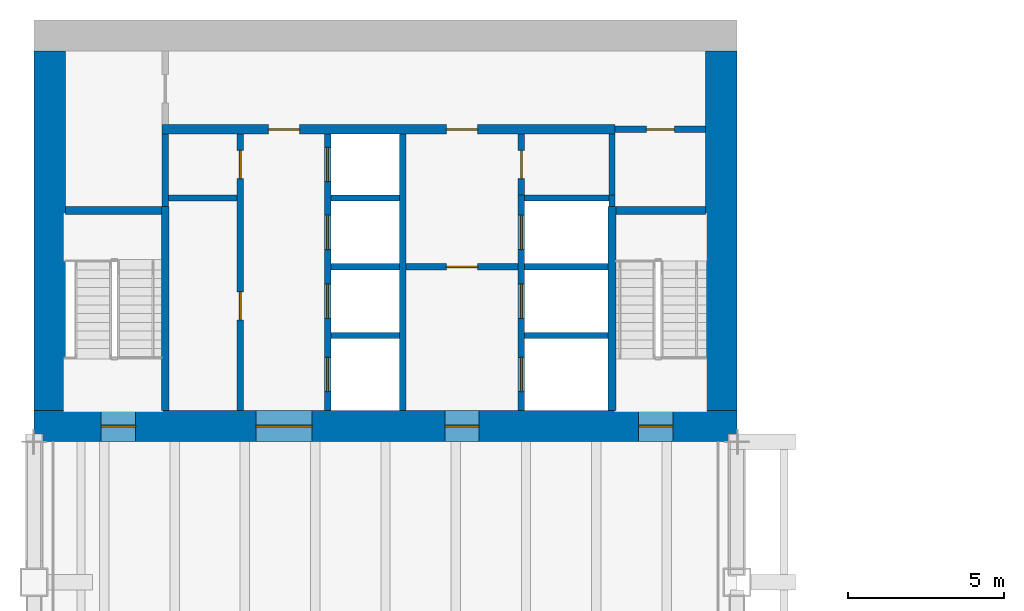
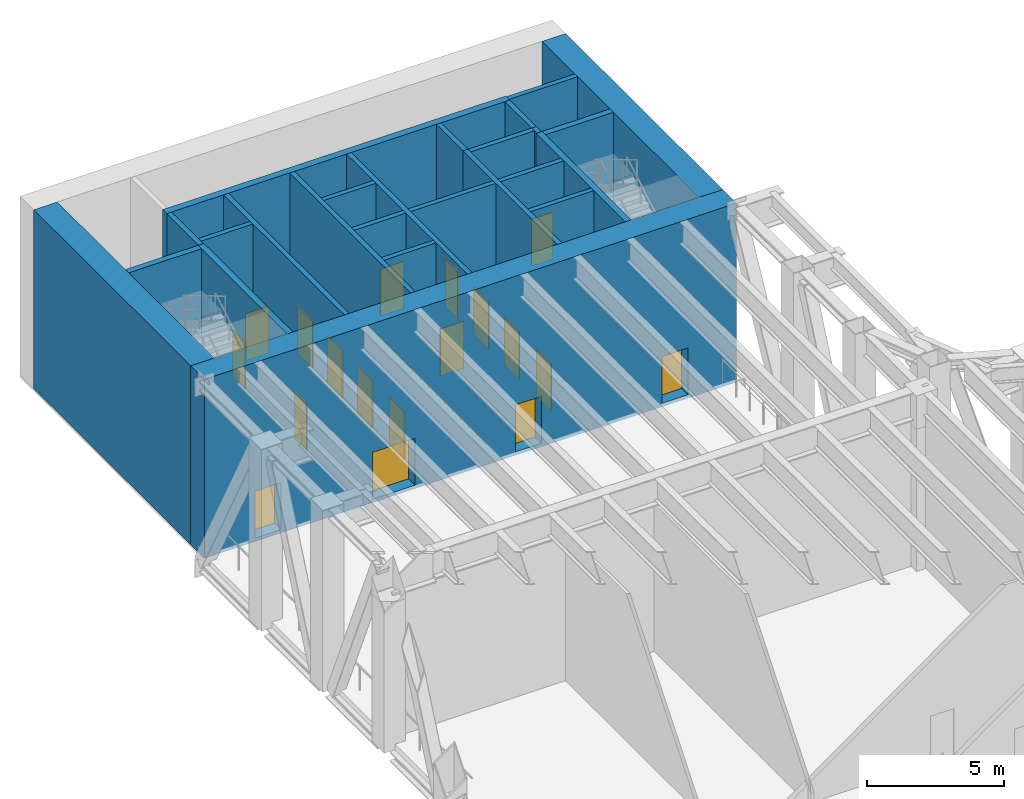
# One storey, part 9 of 16: 25 walls, 18 doors, 18 openings.
"""IFC4 building model written with IfcOpenShell, lengths in metres."""

from ifc_helpers import new_model, si_unit, direction, frame, frame_2d, origin, place, context, subcontext, project, spatial, rectangle, extrude, material, layer, layer_set, type_object, element, fill, save


model = new_model("IFC4")

# Units and contexts
model_context = context("Model", 3, precision=1e-05, world=origin(), true_north=direction((0.0, 1.0)))
body_context = subcontext(model_context, "Body", "Model", "MODEL_VIEW")
ifc_project = project(units=[si_unit("LENGTHUNIT", "METRE"), si_unit("AREAUNIT", "SQUARE_METRE"), si_unit("VOLUMEUNIT", "CUBIC_METRE"), si_unit("PLANEANGLEUNIT", "RADIAN"), si_unit("MASSUNIT", "GRAM", prefix="KILO")], contexts=[model_context])

# Site, building, storey
site_placement = place(None, origin())
site = spatial("IfcSite", under=ifc_project, at=site_placement, CompositionType="ELEMENT")
building_placement = place(site_placement, origin())
building = spatial("IfcBuilding", under=site, at=building_placement, Name="Sennacour Bend Tower", CompositionType="ELEMENT")
storey_placement = place(building_placement, frame((0.0, 0.0, 187.0)))
storey = spatial("IfcBuildingStorey", under=building, at=storey_placement, Name="L43", CompositionType="ELEMENT", Elevation=187.0)

# Wall, openings, doors
ifc_material_1 = material(Name="Concrete C60/75", Category="concrete")
ifc_layer_1 = layer(ifc_material_1, 1.0, Name="Concrete C60/75", Category="concrete")
ifc_layer_set_1 = layer_set([ifc_layer_1], Name="Concrete C60/75")
wall_type_1 = type_object("IfcWallType", Name="Core wall 1000 C60/75", PredefinedType="SHEAR", material=ifc_layer_set_1)
wall_1_placement = place(storey_placement, frame((0.0, 36.5, -0.14990234375), z_axis=(0.0, 0.0, 1.0), x_axis=(1.0, 0.0, 0.0)))
wall_1 = element("IfcWall", 1, at=wall_1_placement, inside=storey, type_object=wall_type_1, Name="Core B wall L43 S", PredefinedType="SHEAR", context=body_context, shape_type="SweptSolid", body=[
    extrude(rectangle(XDim=22.5, YDim=1.0, at=frame_2d((11.25, 0.0))), origin(), (0.0, 0.0, 1.0), 8.0),
])
opening_1_placement = place(wall_1_placement, frame((7.10009765625, 0.0, 0.14990234375)))
opening_1 = element("IfcOpeningElement", 2, at=opening_1_placement, cuts=wall_1, Name="Opening CD", PredefinedType="OPENING", context=body_context, shape_type="SweptSolid", body=[
    extrude(rectangle(XDim=1.800048828125, YDim=2.10009765625, at=frame_2d((0.89990234375, 1.050048828125))), frame((0.0, 0.510009765625, 0.0), z_axis=(0.0, -1.0, 0.0), x_axis=(1.0, 0.0, 0.0)), (0.0, 0.0, 1.0), 1.02001953125),
])
opening_2_placement = place(wall_1_placement, frame((13.14990234375, 0.0, 0.14990234375)))
opening_2 = element("IfcOpeningElement", 3, at=opening_2_placement, cuts=wall_1, Name="Opening FD", PredefinedType="OPENING", context=body_context, shape_type="SweptSolid", body=[
    extrude(rectangle(XDim=1.10009765625, YDim=2.10009765625, at=frame_2d((0.550048828125, 1.050048828125))), frame((0.0, 0.510009765625, 0.0), z_axis=(0.0, -1.0, 0.0), x_axis=(1.0, 0.0, 0.0)), (0.0, 0.0, 1.0), 1.02001953125),
])
opening_3_placement = place(wall_1_placement, frame((2.14990234375, 0.0, 0.14990234375)))
opening_3 = element("IfcOpeningElement", 4, at=opening_3_placement, cuts=wall_1, Name="Opening SD", PredefinedType="OPENING", context=body_context, shape_type="SweptSolid", body=[
    extrude(rectangle(XDim=1.10009765625, YDim=2.10009765625, at=frame_2d((0.550048828125, 1.050048828125))), frame((0.0, 0.510009765625, 0.0), z_axis=(0.0, -1.0, 0.0), x_axis=(1.0, 0.0, 0.0)), (0.0, 0.0, 1.0), 1.02001953125),
])
opening_4_placement = place(wall_1_placement, frame((19.35009765625, 0.0, 0.14990234375)))
opening_4 = element("IfcOpeningElement", 5, at=opening_4_placement, cuts=wall_1, Name="Opening SD", PredefinedType="OPENING", context=body_context, shape_type="SweptSolid", body=[
    extrude(rectangle(XDim=1.10009765625, YDim=2.10009765625, at=frame_2d((0.550048828125, 1.050048828125))), frame((0.0, 0.510009765625, 0.0), z_axis=(0.0, -1.0, 0.0), x_axis=(1.0, 0.0, 0.0)), (0.0, 0.0, 1.0), 1.02001953125),
])
ifc_material_2 = material(Name="Painted steel", Category="steel")
door_type_1 = type_object("IfcDoorType", Name="DR-FFL-1100", OperationType="NOTDEFINED", PredefinedType="DOOR", material=ifc_material_2)
door_1_placement = place(opening_2_placement, origin())
door_1 = element("IfcDoor", 6, at=door_1_placement, inside=storey, type_object=door_type_1, Name="Door", OperationType="SINGLE_SWING_RIGHT", OverallHeight=2.10009765625, OverallWidth=1.10009765625, PredefinedType="DOOR", context=body_context, shape_type="SweptSolid", body=[
    extrude(rectangle(XDim=1.10009765625, YDim=2.10009765625, at=frame_2d((0.550048828125, 1.050048828125))), frame((0.0, 0.02490234375, 0.0), z_axis=(0.0, -1.0, 0.0), x_axis=(1.0, 0.0, 0.0)), (0.0, 0.0, 1.0), 0.050048828125),
])
fill(opening_2, door_1)
door_type_2 = type_object("IfcDoorType", Name="DR-LOBBY-1800", OperationType="NOTDEFINED", PredefinedType="DOOR", material=ifc_material_2)
door_2_placement = place(opening_1_placement, origin())
door_2 = element("IfcDoor", 7, at=door_2_placement, inside=storey, type_object=door_type_2, Name="Door", OperationType="DOUBLE_DOOR_SINGLE_SWING", OverallHeight=2.10009765625, OverallWidth=1.800048828125, PredefinedType="DOOR", context=body_context, shape_type="SweptSolid", body=[
    extrude(rectangle(XDim=1.800048828125, YDim=2.10009765625, at=frame_2d((0.89990234375, 1.050048828125))), frame((0.0, 0.02490234375, 0.0), z_axis=(0.0, -1.0, 0.0), x_axis=(1.0, 0.0, 0.0)), (0.0, 0.0, 1.0), 0.050048828125),
])
fill(opening_1, door_2)
door_type_3 = type_object("IfcDoorType", Name="DR-STAIR-1100", OperationType="NOTDEFINED", PredefinedType="DOOR", material=ifc_material_2)
door_3_placement = place(opening_3_placement, origin())
door_3 = element("IfcDoor", 8, at=door_3_placement, inside=storey, type_object=door_type_3, Name="Door", OperationType="SINGLE_SWING_LEFT", OverallHeight=2.10009765625, OverallWidth=1.10009765625, PredefinedType="DOOR", context=body_context, shape_type="SweptSolid", body=[
    extrude(rectangle(XDim=1.10009765625, YDim=2.10009765625, at=frame_2d((0.550048828125, 1.050048828125))), frame((0.0, 0.02490234375, 0.0), z_axis=(0.0, -1.0, 0.0), x_axis=(1.0, 0.0, 0.0)), (0.0, 0.0, 1.0), 0.050048828125),
])
fill(opening_3, door_3)
door_4_placement = place(opening_4_placement, origin())
door_4 = element("IfcDoor", 9, at=door_4_placement, inside=storey, type_object=door_type_3, Name="Door", OperationType="SINGLE_SWING_RIGHT", OverallHeight=2.10009765625, OverallWidth=1.10009765625, PredefinedType="DOOR", context=body_context, shape_type="SweptSolid", body=[
    extrude(rectangle(XDim=1.10009765625, YDim=2.10009765625, at=frame_2d((0.550048828125, 1.050048828125))), frame((0.0, 0.02490234375, 0.0), z_axis=(0.0, -1.0, 0.0), x_axis=(1.0, 0.0, 0.0)), (0.0, 0.0, 1.0), 0.050048828125),
])
fill(opening_4, door_4)

# Walls
for number, where, z_axis, x_axis, name in (
    (10, (0.5, 37.0, -0.14990234375), (0.0, 0.0, 1.0), (0.0, 1.0, 0.0), "Core B wall L43 W"),
    (11, (22.0, 37.0, -0.14990234375), (0.0, 0.0, 1.0), (0.0, 1.0, 0.0), "Core B wall L43 E"),
):
    element("IfcWall", number, at=place(storey_placement, frame(where, z_axis=z_axis, x_axis=x_axis)), inside=storey, type_object=wall_type_1, Name=name, PredefinedType="SHEAR", context=body_context, shape_type="SweptSolid", body=[
        extrude(rectangle(XDim=11.5, YDim=1.0, at=frame_2d((5.75, 0.0))), origin(), (0.0, 0.0, 1.0), 8.0),
    ])
ifc_material_3 = material(Name="Fire-rated plasterboard partition on steel studs", Category="steel")
ifc_layer_2 = layer(ifc_material_3, 0.199951171875, Name="Fire-rated plasterboard partition on steel studs", Category="steel")
ifc_layer_set_2 = layer_set([ifc_layer_2], Name="Fire-rated plasterboard partition on steel studs")
wall_type_2 = type_object("IfcWallType", Name="Rated partition 200", PredefinedType="PARTITIONING", material=ifc_layer_set_2)
wall_2_placement = place(storey_placement, frame((4.199951171875, 43.52490234375, 0.0), z_axis=(0.0, 0.0, 1.0), x_axis=(0.0, 1.0, 0.0)))
element("IfcWall", 12, at=wall_2_placement, inside=storey, type_object=wall_type_2, Name="P-L43-W004a", PredefinedType="PARTITIONING", context=body_context, shape_type="SweptSolid", body=[
    extrude(rectangle(XDim=2.3251953125, YDim=0.199951171875, at=frame_2d((1.16259765625, 0.0))), origin(), (0.0, 0.0, 1.0), 7.85009765625),
])

# Wall, openings, doors
wall_3_placement = place(storey_placement, frame((6.60009765625, 37.0, 0.0), z_axis=(0.0, 0.0, 1.0), x_axis=(0.0, 1.0, 0.0)))
wall_3 = element("IfcWall", 13, at=wall_3_placement, inside=storey, type_object=wall_type_2, Name="P-L43-W005", PredefinedType="PARTITIONING", context=body_context, shape_type="SweptSolid", body=[
    extrude(rectangle(XDim=8.85009765625, YDim=0.199951171875, at=frame_2d((4.425048828125, 0.0))), origin(), (0.0, 0.0, 1.0), 7.85009765625),
])
opening_5_placement = place(wall_3_placement, frame((2.89990234375, 0.0, 0.0)))
opening_5 = element("IfcOpeningElement", 14, at=opening_5_placement, cuts=wall_3, Name="Opening SV", PredefinedType="OPENING", context=body_context, shape_type="SweptSolid", body=[
    extrude(rectangle(XDim=0.89990234375, YDim=2.10009765625, at=frame_2d((0.449951171875, 1.050048828125))), frame((0.0, 0.10986328125, 0.0), z_axis=(0.0, -1.0, 0.0), x_axis=(1.0, 0.0, 0.0)), (0.0, 0.0, 1.0), 0.219970703125),
])
opening_6_placement = place(wall_3_placement, frame((7.425048828125, 0.0, 0.0)))
opening_6 = element("IfcOpeningElement", 15, at=opening_6_placement, cuts=wall_3, Name="Opening SV", PredefinedType="OPENING", context=body_context, shape_type="SweptSolid", body=[
    extrude(rectangle(XDim=0.89990234375, YDim=2.10009765625, at=frame_2d((0.449951171875, 1.050048828125))), frame((0.0, 0.10986328125, 0.0), z_axis=(0.0, -1.0, 0.0), x_axis=(1.0, 0.0, 0.0)), (0.0, 0.0, 1.0), 0.219970703125),
])
door_type_4 = type_object("IfcDoorType", Name="DR-SERVICE-900", OperationType="NOTDEFINED", PredefinedType="DOOR", material=ifc_material_2)
door_5_placement = place(opening_5_placement, origin())
door_5 = element("IfcDoor", 16, at=door_5_placement, inside=storey, type_object=door_type_4, Name="Door", OperationType="SINGLE_SWING_LEFT", OverallHeight=2.10009765625, OverallWidth=0.89990234375, PredefinedType="DOOR", context=body_context, shape_type="SweptSolid", body=[
    extrude(rectangle(XDim=0.89990234375, YDim=2.10009765625, at=frame_2d((0.449951171875, 1.050048828125))), frame((0.0, 0.02490234375, 0.0), z_axis=(0.0, -1.0, 0.0), x_axis=(1.0, 0.0, 0.0)), (0.0, 0.0, 1.0), 0.050048828125),
])
fill(opening_5, door_5)
door_6_placement = place(opening_6_placement, origin())
door_6 = element("IfcDoor", 17, at=door_6_placement, inside=storey, type_object=door_type_4, Name="Door", OperationType="SINGLE_SWING_RIGHT", OverallHeight=2.10009765625, OverallWidth=0.89990234375, PredefinedType="DOOR", context=body_context, shape_type="SweptSolid", body=[
    extrude(rectangle(XDim=0.89990234375, YDim=2.10009765625, at=frame_2d((0.449951171875, 1.050048828125))), frame((0.0, 0.02490234375, 0.0), z_axis=(0.0, -1.0, 0.0), x_axis=(1.0, 0.0, 0.0)), (0.0, 0.0, 1.0), 0.050048828125),
])
fill(opening_6, door_6)

# Wall, opening, door
wall_4_placement = place(storey_placement, frame((15.60009765625, 43.89990234375, 0.0), z_axis=(0.0, 0.0, 1.0), x_axis=(0.0, 1.0, 0.0)))
wall_4 = element("IfcWall", 18, at=wall_4_placement, inside=storey, type_object=wall_type_2, Name="P-L43-W014", PredefinedType="PARTITIONING", context=body_context, shape_type="SweptSolid", body=[
    extrude(rectangle(XDim=1.9501953125, YDim=0.199951171875, at=frame_2d((0.97509765625, 0.0))), origin(), (0.0, 0.0, 1.0), 7.85009765625),
])
opening_7_placement = place(wall_4_placement, frame((0.525146484375, 0.0, 0.0)))
opening_7 = element("IfcOpeningElement", 19, at=opening_7_placement, cuts=wall_4, Name="Opening SV", PredefinedType="OPENING", context=body_context, shape_type="SweptSolid", body=[
    extrude(rectangle(XDim=0.89990234375, YDim=2.10009765625, at=frame_2d((0.449951171875, 1.050048828125))), frame((0.0, 0.10986328125, 0.0), z_axis=(0.0, -1.0, 0.0), x_axis=(1.0, 0.0, 0.0)), (0.0, 0.0, 1.0), 0.219970703125),
])
door_7_placement = place(opening_7_placement, origin())
door_7 = element("IfcDoor", 20, at=door_7_placement, inside=storey, type_object=door_type_4, Name="Door", OperationType="SINGLE_SWING_RIGHT", OverallHeight=2.10009765625, OverallWidth=0.89990234375, PredefinedType="DOOR", context=body_context, shape_type="SweptSolid", body=[
    extrude(rectangle(XDim=0.89990234375, YDim=2.10009765625, at=frame_2d((0.449951171875, 1.050048828125))), frame((0.0, 0.02490234375, 0.0), z_axis=(0.0, -1.0, 0.0), x_axis=(1.0, 0.0, 0.0)), (0.0, 0.0, 1.0), 0.050048828125),
])
fill(opening_7, door_7)

# Walls
wall_5_placement = place(storey_placement, frame((18.5, 43.89990234375, 0.0), z_axis=(0.0, 0.0, 1.0), x_axis=(0.0, 1.0, 0.0)))
element("IfcWall", 21, at=wall_5_placement, inside=storey, type_object=wall_type_2, Name="P-L43-W018", PredefinedType="PARTITIONING", context=body_context, shape_type="SweptSolid", body=[
    extrude(rectangle(XDim=1.9501953125, YDim=0.199951171875, at=frame_2d((0.97509765625, 0.0))), origin(), (0.0, 0.0, 1.0), 7.85009765625),
])
wall_6_placement = place(storey_placement, frame((4.300048828125, 43.800048828125, 0.0), z_axis=(0.0, 0.0, 1.0), x_axis=(1.0, 0.0, 0.0)))
element("IfcWall", 22, at=wall_6_placement, inside=storey, type_object=wall_type_2, Name="P-L43-W056", PredefinedType="PARTITIONING", context=body_context, shape_type="SweptSolid", body=[
    extrude(rectangle(XDim=2.199951171875, YDim=0.199951171875, at=frame_2d((1.10009765625, 0.0))), origin(), (0.0, 0.0, 1.0), 7.85009765625),
])

# Wall, opening, door
wall_7_placement = place(storey_placement, frame((18.60009765625, 46.0, 0.0), z_axis=(0.0, 0.0, 1.0), x_axis=(1.0, 0.0, 0.0)))
wall_7 = element("IfcWall", 23, at=wall_7_placement, inside=storey, type_object=wall_type_2, Name="P-L43-W060", PredefinedType="PARTITIONING", context=body_context, shape_type="SweptSolid", body=[
    extrude(rectangle(XDim=2.89990234375, YDim=0.199951171875, at=frame_2d((1.449951171875, 0.0))), origin(), (0.0, 0.0, 1.0), 7.85009765625),
])
opening_8_placement = place(wall_7_placement, frame((1.0, 0.0, 0.0)))
opening_8 = element("IfcOpeningElement", 24, at=opening_8_placement, cuts=wall_7, Name="Opening SV", PredefinedType="OPENING", context=body_context, shape_type="SweptSolid", body=[
    extrude(rectangle(XDim=0.89990234375, YDim=2.10009765625, at=frame_2d((0.449951171875, 1.050048828125))), frame((0.0, 0.10986328125, 0.0), z_axis=(0.0, -1.0, 0.0), x_axis=(1.0, 0.0, 0.0)), (0.0, 0.0, 1.0), 0.219970703125),
])
door_8_placement = place(opening_8_placement, origin())
door_8 = element("IfcDoor", 25, at=door_8_placement, inside=storey, type_object=door_type_4, Name="Door", OperationType="SINGLE_SWING_LEFT", OverallHeight=2.10009765625, OverallWidth=0.89990234375, PredefinedType="DOOR", context=body_context, shape_type="SweptSolid", body=[
    extrude(rectangle(XDim=0.89990234375, YDim=2.10009765625, at=frame_2d((0.449951171875, 1.050048828125))), frame((0.0, 0.02490234375, 0.0), z_axis=(0.0, -1.0, 0.0), x_axis=(1.0, 0.0, 0.0)), (0.0, 0.0, 1.0), 0.050048828125),
])
fill(opening_8, door_8)

ifc_layer_3 = layer(ifc_material_3, 0.199951171875, Name="Fire-rated plasterboard partition on steel studs", Category="steel")
ifc_layer_set_3 = layer_set([ifc_layer_3], Name="Fire-rated plasterboard partition on steel studs")
wall_type_3 = type_object("IfcWallType", Name="Rated partition 200 EI 90", PredefinedType="PARTITIONING", material=ifc_layer_set_3)
wall_8_placement = place(storey_placement, frame((11.89990234375, 41.60009765625, 0.0), z_axis=(0.0, 0.0, 1.0), x_axis=(1.0, 0.0, 0.0)))
wall_8 = element("IfcWall", 26, at=wall_8_placement, inside=storey, type_object=wall_type_3, Name="P-L43-W052", PredefinedType="PARTITIONING", context=body_context, shape_type="SweptSolid", body=[
    extrude(rectangle(XDim=3.60009765625, YDim=0.199951171875, at=frame_2d((1.800048828125, 0.0))), origin(), (0.0, 0.0, 1.0), 7.85009765625),
])
opening_9_placement = place(wall_8_placement, frame((1.300048828125, 0.0, 0.0)))
opening_9 = element("IfcOpeningElement", 27, at=opening_9_placement, cuts=wall_8, Name="Opening FD2", PredefinedType="OPENING", context=body_context, shape_type="SweptSolid", body=[
    extrude(rectangle(XDim=1.0, YDim=2.10009765625, at=frame_2d((0.5, 1.050048828125))), frame((0.0, 0.10986328125, 0.0), z_axis=(0.0, -1.0, 0.0), x_axis=(1.0, 0.0, 0.0)), (0.0, 0.0, 1.0), 0.219970703125),
])
door_type_5 = type_object("IfcDoorType", Name="DR-FFL-1000", OperationType="NOTDEFINED", PredefinedType="DOOR", material=ifc_material_2)
door_9_placement = place(opening_9_placement, origin())
door_9 = element("IfcDoor", 28, at=door_9_placement, inside=storey, type_object=door_type_5, Name="Door", OperationType="SINGLE_SWING_RIGHT", OverallHeight=2.10009765625, OverallWidth=1.0, PredefinedType="DOOR", context=body_context, shape_type="SweptSolid", body=[
    extrude(rectangle(XDim=1.0, YDim=2.10009765625, at=frame_2d((0.5, 1.050048828125))), frame((0.0, 0.02490234375, 0.0), z_axis=(0.0, -1.0, 0.0), x_axis=(1.0, 0.0, 0.0)), (0.0, 0.0, 1.0), 0.050048828125),
])
fill(opening_9, door_9)

# Wall, openings, doors
ifc_material_4 = material(Name="Concrete C50/60", Category="concrete")
ifc_layer_4 = layer(ifc_material_4, 0.199951171875, Name="Concrete C50/60", Category="concrete")
ifc_layer_set_4 = layer_set([ifc_layer_4], Name="Concrete C50/60")
wall_type_4 = type_object("IfcWallType", Name="Shaft wall 200", PredefinedType="SOLIDWALL", material=ifc_layer_set_4)
wall_9_placement = place(storey_placement, frame((9.39990234375, 37.0, 0.0), z_axis=(0.0, 0.0, 1.0), x_axis=(0.0, 1.0, 0.0)))
wall_9 = element("IfcWall", 29, at=wall_9_placement, inside=storey, type_object=wall_type_4, Name="P-L43-W010", PredefinedType="SOLIDWALL", context=body_context, shape_type="SweptSolid", body=[
    extrude(rectangle(XDim=8.85009765625, YDim=0.199951171875, at=frame_2d((4.425048828125, 0.0))), origin(), (0.0, 0.0, 1.0), 7.85009765625),
])
opening_10_placement = place(wall_9_placement, frame((0.60009765625, 0.0, 0.011962890625)))
opening_10 = element("IfcOpeningElement", 30, at=opening_10_placement, cuts=wall_9, Name="Opening LD", PredefinedType="OPENING", context=body_context, shape_type="SweptSolid", body=[
    extrude(rectangle(XDim=1.10009765625, YDim=2.10009765625, at=frame_2d((0.550048828125, 1.050048828125))), frame((0.0, 0.10986328125, 0.0), z_axis=(0.0, -1.0, 0.0), x_axis=(1.0, 0.0, 0.0)), (0.0, 0.0, 1.0), 0.219970703125),
])
opening_11_placement = place(wall_9_placement, frame((2.949951171875, 0.0, 0.011962890625)))
opening_11 = element("IfcOpeningElement", 31, at=opening_11_placement, cuts=wall_9, Name="Opening LD", PredefinedType="OPENING", context=body_context, shape_type="SweptSolid", body=[
    extrude(rectangle(XDim=1.10009765625, YDim=2.10009765625, at=frame_2d((0.550048828125, 1.050048828125))), frame((0.0, 0.10986328125, 0.0), z_axis=(0.0, -1.0, 0.0), x_axis=(1.0, 0.0, 0.0)), (0.0, 0.0, 1.0), 0.219970703125),
])
opening_12_placement = place(wall_9_placement, frame((5.14990234375, 0.0, 0.011962890625)))
opening_12 = element("IfcOpeningElement", 32, at=opening_12_placement, cuts=wall_9, Name="Opening LD", PredefinedType="OPENING", context=body_context, shape_type="SweptSolid", body=[
    extrude(rectangle(XDim=1.10009765625, YDim=2.10009765625, at=frame_2d((0.550048828125, 1.050048828125))), frame((0.0, 0.10986328125, 0.0), z_axis=(0.0, -1.0, 0.0), x_axis=(1.0, 0.0, 0.0)), (0.0, 0.0, 1.0), 0.219970703125),
])
opening_13_placement = place(wall_9_placement, frame((7.324951171875, 0.0, 0.011962890625)))
opening_13 = element("IfcOpeningElement", 33, at=opening_13_placement, cuts=wall_9, Name="Opening LD", PredefinedType="OPENING", context=body_context, shape_type="SweptSolid", body=[
    extrude(rectangle(XDim=1.10009765625, YDim=2.10009765625, at=frame_2d((0.550048828125, 1.050048828125))), frame((0.0, 0.10986328125, 0.0), z_axis=(0.0, -1.0, 0.0), x_axis=(1.0, 0.0, 0.0)), (0.0, 0.0, 1.0), 0.219970703125),
])
ifc_material_5 = material(Name="Stainless steel", Category="steel")
door_type_6 = type_object("IfcDoorType", Name="DR-LANDING-1100", OperationType="NOTDEFINED", PredefinedType="DOOR", material=ifc_material_5)
door_10_placement = place(opening_10_placement, origin())
door_10 = element("IfcDoor", 34, at=door_10_placement, inside=storey, type_object=door_type_6, Name="Lift landing door MB1", OperationType="SLIDING_TO_RIGHT", OverallHeight=2.10009765625, OverallWidth=1.10009765625, PredefinedType="DOOR", context=body_context, shape_type="SweptSolid", body=[
    extrude(rectangle(XDim=1.10009765625, YDim=2.10009765625, at=frame_2d((0.550048828125, 1.050048828125))), frame((0.0, 0.02490234375, 0.0), z_axis=(0.0, -1.0, 0.0), x_axis=(1.0, 0.0, 0.0)), (0.0, 0.0, 1.0), 0.050048828125),
])
fill(opening_10, door_10)
door_11_placement = place(opening_11_placement, origin())
door_11 = element("IfcDoor", 35, at=door_11_placement, inside=storey, type_object=door_type_6, Name="Lift landing door MB2", OperationType="SLIDING_TO_LEFT", OverallHeight=2.10009765625, OverallWidth=1.10009765625, PredefinedType="DOOR", context=body_context, shape_type="SweptSolid", body=[
    extrude(rectangle(XDim=1.10009765625, YDim=2.10009765625, at=frame_2d((0.550048828125, 1.050048828125))), frame((0.0, 0.02490234375, 0.0), z_axis=(0.0, -1.0, 0.0), x_axis=(1.0, 0.0, 0.0)), (0.0, 0.0, 1.0), 0.050048828125),
])
fill(opening_11, door_11)
door_12_placement = place(opening_12_placement, origin())
door_12 = element("IfcDoor", 36, at=door_12_placement, inside=storey, type_object=door_type_6, Name="Lift landing door MB3", OperationType="SLIDING_TO_RIGHT", OverallHeight=2.10009765625, OverallWidth=1.10009765625, PredefinedType="DOOR", context=body_context, shape_type="SweptSolid", body=[
    extrude(rectangle(XDim=1.10009765625, YDim=2.10009765625, at=frame_2d((0.550048828125, 1.050048828125))), frame((0.0, 0.02490234375, 0.0), z_axis=(0.0, -1.0, 0.0), x_axis=(1.0, 0.0, 0.0)), (0.0, 0.0, 1.0), 0.050048828125),
])
fill(opening_12, door_12)
door_13_placement = place(opening_13_placement, origin())
door_13 = element("IfcDoor", 37, at=door_13_placement, inside=storey, type_object=door_type_6, Name="Lift landing door MB4", OperationType="SLIDING_TO_LEFT", OverallHeight=2.10009765625, OverallWidth=1.10009765625, PredefinedType="DOOR", context=body_context, shape_type="SweptSolid", body=[
    extrude(rectangle(XDim=1.10009765625, YDim=2.10009765625, at=frame_2d((0.550048828125, 1.050048828125))), frame((0.0, 0.02490234375, 0.0), z_axis=(0.0, -1.0, 0.0), x_axis=(1.0, 0.0, 0.0)), (0.0, 0.0, 1.0), 0.050048828125),
])
fill(opening_13, door_13)

# Wall
wall_10_placement = place(storey_placement, frame((11.800048828125, 37.0, 0.0), z_axis=(0.0, 0.0, 1.0), x_axis=(0.0, 1.0, 0.0)))
element("IfcWall", 38, at=wall_10_placement, inside=storey, type_object=wall_type_4, Name="P-L43-W012", PredefinedType="SOLIDWALL", context=body_context, shape_type="SweptSolid", body=[
    extrude(rectangle(XDim=8.85009765625, YDim=0.199951171875, at=frame_2d((4.425048828125, 0.0))), origin(), (0.0, 0.0, 1.0), 7.85009765625),
])

# Wall, openings, doors
wall_11_placement = place(storey_placement, frame((15.60009765625, 37.0, 0.0), z_axis=(0.0, 0.0, 1.0), x_axis=(0.0, 1.0, 0.0)))
wall_11 = element("IfcWall", 39, at=wall_11_placement, inside=storey, type_object=wall_type_4, Name="P-L43-W013", PredefinedType="SOLIDWALL", context=body_context, shape_type="SweptSolid", body=[
    extrude(rectangle(XDim=6.89990234375, YDim=0.199951171875, at=frame_2d((3.449951171875, 0.0))), origin(), (0.0, 0.0, 1.0), 7.85009765625),
])
opening_14_placement = place(wall_11_placement, frame((0.60009765625, 0.0, 0.011962890625)))
opening_14 = element("IfcOpeningElement", 40, at=opening_14_placement, cuts=wall_11, Name="Opening FLD", PredefinedType="OPENING", context=body_context, shape_type="SweptSolid", body=[
    extrude(rectangle(XDim=1.10009765625, YDim=2.10009765625, at=frame_2d((0.550048828125, 1.050048828125))), frame((0.0, 0.10986328125, 0.0), z_axis=(0.0, -1.0, 0.0), x_axis=(1.0, 0.0, 0.0)), (0.0, 0.0, 1.0), 0.219970703125),
])
opening_15_placement = place(wall_11_placement, frame((2.949951171875, 0.0, 0.011962890625)))
opening_15 = element("IfcOpeningElement", 41, at=opening_15_placement, cuts=wall_11, Name="Opening FLD", PredefinedType="OPENING", context=body_context, shape_type="SweptSolid", body=[
    extrude(rectangle(XDim=1.10009765625, YDim=2.10009765625, at=frame_2d((0.550048828125, 1.050048828125))), frame((0.0, 0.10986328125, 0.0), z_axis=(0.0, -1.0, 0.0), x_axis=(1.0, 0.0, 0.0)), (0.0, 0.0, 1.0), 0.219970703125),
])
opening_16_placement = place(wall_11_placement, frame((5.14990234375, 0.0, 0.011962890625)))
opening_16 = element("IfcOpeningElement", 42, at=opening_16_placement, cuts=wall_11, Name="Opening LD", PredefinedType="OPENING", context=body_context, shape_type="SweptSolid", body=[
    extrude(rectangle(XDim=1.10009765625, YDim=2.10009765625, at=frame_2d((0.550048828125, 1.050048828125))), frame((0.0, 0.10986328125, 0.0), z_axis=(0.0, -1.0, 0.0), x_axis=(1.0, 0.0, 0.0)), (0.0, 0.0, 1.0), 0.219970703125),
])
door_type_7 = type_object("IfcDoorType", Name="DR-FF-LANDING-1100", OperationType="NOTDEFINED", PredefinedType="DOOR", material=ifc_material_5)
door_14_placement = place(opening_14_placement, origin())
door_14 = element("IfcDoor", 43, at=door_14_placement, inside=storey, type_object=door_type_7, Name="Fire service lift landing door FB1", OperationType="SLIDING_TO_RIGHT", OverallHeight=2.10009765625, OverallWidth=1.10009765625, PredefinedType="DOOR", context=body_context, shape_type="SweptSolid", body=[
    extrude(rectangle(XDim=1.10009765625, YDim=2.10009765625, at=frame_2d((0.550048828125, 1.050048828125))), frame((0.0, 0.02490234375, 0.0), z_axis=(0.0, -1.0, 0.0), x_axis=(1.0, 0.0, 0.0)), (0.0, 0.0, 1.0), 0.050048828125),
])
fill(opening_14, door_14)
door_15_placement = place(opening_15_placement, origin())
door_15 = element("IfcDoor", 44, at=door_15_placement, inside=storey, type_object=door_type_7, Name="Fire service lift landing door FB2", OperationType="SLIDING_TO_LEFT", OverallHeight=2.10009765625, OverallWidth=1.10009765625, PredefinedType="DOOR", context=body_context, shape_type="SweptSolid", body=[
    extrude(rectangle(XDim=1.10009765625, YDim=2.10009765625, at=frame_2d((0.550048828125, 1.050048828125))), frame((0.0, 0.02490234375, 0.0), z_axis=(0.0, -1.0, 0.0), x_axis=(1.0, 0.0, 0.0)), (0.0, 0.0, 1.0), 0.050048828125),
])
fill(opening_15, door_15)
door_16_placement = place(opening_16_placement, origin())
door_16 = element("IfcDoor", 45, at=door_16_placement, inside=storey, type_object=door_type_6, Name="Lift landing door MB5", OperationType="SLIDING_TO_RIGHT", OverallHeight=2.10009765625, OverallWidth=1.10009765625, PredefinedType="DOOR", context=body_context, shape_type="SweptSolid", body=[
    extrude(rectangle(XDim=1.10009765625, YDim=2.10009765625, at=frame_2d((0.550048828125, 1.050048828125))), frame((0.0, 0.02490234375, 0.0), z_axis=(0.0, -1.0, 0.0), x_axis=(1.0, 0.0, 0.0)), (0.0, 0.0, 1.0), 0.050048828125),
])
fill(opening_16, door_16)

# Walls
wall_12_placement = place(storey_placement, frame((18.5, 43.52490234375, 0.0), z_axis=(0.0, 0.0, 1.0), x_axis=(0.0, 1.0, 0.0)))
element("IfcWall", 46, at=wall_12_placement, inside=storey, type_object=wall_type_4, Name="P-L43-W017", PredefinedType="SOLIDWALL", context=body_context, shape_type="SweptSolid", body=[
    extrude(rectangle(XDim=0.375, YDim=0.199951171875, at=frame_2d((0.1875, 0.0))), origin(), (0.0, 0.0, 1.0), 7.85009765625),
])
wall_13_placement = place(storey_placement, frame((9.5, 39.39990234375, 0.0), z_axis=(0.0, 0.0, 1.0), x_axis=(1.0, 0.0, 0.0)))
element("IfcWall", 47, at=wall_13_placement, inside=storey, type_object=wall_type_4, Name="P-L43-W049", PredefinedType="SOLIDWALL", context=body_context, shape_type="SweptSolid", body=[
    extrude(rectangle(XDim=2.199951171875, YDim=0.199951171875, at=frame_2d((1.10009765625, 0.0))), origin(), (0.0, 0.0, 1.0), 7.85009765625),
])
wall_14_placement = place(storey_placement, frame((15.699951171875, 39.39990234375, 0.0), z_axis=(0.0, 0.0, 1.0), x_axis=(1.0, 0.0, 0.0)))
element("IfcWall", 48, at=wall_14_placement, inside=storey, type_object=wall_type_4, Name="P-L43-W050", PredefinedType="SOLIDWALL", context=body_context, shape_type="SweptSolid", body=[
    extrude(rectangle(XDim=2.675048828125, YDim=0.199951171875, at=frame_2d((1.33740234375, 0.0))), origin(), (0.0, 0.0, 1.0), 7.85009765625),
])
wall_15_placement = place(storey_placement, frame((9.5, 41.60009765625, 0.0), z_axis=(0.0, 0.0, 1.0), x_axis=(1.0, 0.0, 0.0)))
element("IfcWall", 49, at=wall_15_placement, inside=storey, type_object=wall_type_4, Name="P-L43-W051", PredefinedType="SOLIDWALL", context=body_context, shape_type="SweptSolid", body=[
    extrude(rectangle(XDim=2.199951171875, YDim=0.199951171875, at=frame_2d((1.10009765625, 0.0))), origin(), (0.0, 0.0, 1.0), 7.85009765625),
])
wall_16_placement = place(storey_placement, frame((15.699951171875, 41.60009765625, 0.0), z_axis=(0.0, 0.0, 1.0), x_axis=(1.0, 0.0, 0.0)))
element("IfcWall", 50, at=wall_16_placement, inside=storey, type_object=wall_type_4, Name="P-L43-W053", PredefinedType="SOLIDWALL", context=body_context, shape_type="SweptSolid", body=[
    extrude(rectangle(XDim=2.675048828125, YDim=0.199951171875, at=frame_2d((1.33740234375, 0.0))), origin(), (0.0, 0.0, 1.0), 7.85009765625),
])
wall_17_placement = place(storey_placement, frame((9.5, 43.800048828125, 0.0), z_axis=(0.0, 0.0, 1.0), x_axis=(1.0, 0.0, 0.0)))
element("IfcWall", 51, at=wall_17_placement, inside=storey, type_object=wall_type_4, Name="P-L43-W057", PredefinedType="SOLIDWALL", context=body_context, shape_type="SweptSolid", body=[
    extrude(rectangle(XDim=2.199951171875, YDim=0.199951171875, at=frame_2d((1.10009765625, 0.0))), origin(), (0.0, 0.0, 1.0), 7.85009765625),
])
wall_18_placement = place(storey_placement, frame((15.699951171875, 43.800048828125, 0.0), z_axis=(0.0, 0.0, 1.0), x_axis=(1.0, 0.0, 0.0)))
element("IfcWall", 52, at=wall_18_placement, inside=storey, type_object=wall_type_4, Name="P-L43-W058", PredefinedType="SOLIDWALL", context=body_context, shape_type="SweptSolid", body=[
    extrude(rectangle(XDim=2.699951171875, YDim=0.199951171875, at=frame_2d((1.35009765625, 0.0))), origin(), (0.0, 0.0, 1.0), 7.85009765625),
])

# Wall, openings, doors
ifc_layer_5 = layer(ifc_material_1, 0.300048828125, Name="Concrete C60/75", Category="concrete")
ifc_layer_set_5 = layer_set([ifc_layer_5], Name="Concrete C60/75")
wall_type_5 = type_object("IfcWallType", Name="Spine wall 300", PredefinedType="SHEAR", material=ifc_layer_set_5)
wall_19_placement = place(storey_placement, frame((4.10009765625, 46.0, 0.0), z_axis=(0.0, 0.0, 1.0), x_axis=(1.0, 0.0, 0.0)))
wall_19 = element("IfcWall", 53, at=wall_19_placement, inside=storey, type_object=wall_type_5, Name="P-L43-W059", PredefinedType="SHEAR", context=body_context, shape_type="SweptSolid", body=[
    extrude(rectangle(XDim=14.5, YDim=0.300048828125, at=frame_2d((7.25, 0.0))), origin(), (0.0, 0.0, 1.0), 7.85009765625),
])
opening_17_placement = place(wall_19_placement, frame((3.39990234375, 0.0, 0.0)))
opening_17 = element("IfcOpeningElement", 54, at=opening_17_placement, cuts=wall_19, Name="Opening CD2", PredefinedType="OPENING", context=body_context, shape_type="SweptSolid", body=[
    extrude(rectangle(XDim=1.0, YDim=2.10009765625, at=frame_2d((0.5, 1.050048828125))), frame((0.0, 0.16015625, 0.0), z_axis=(0.0, -1.0, 0.0), x_axis=(1.0, 0.0, 0.0)), (0.0, 0.0, 1.0), 0.320068359375),
])
opening_18_placement = place(wall_19_placement, frame((9.099853515625, 0.0, 0.0)))
opening_18 = element("IfcOpeningElement", 55, at=opening_18_placement, cuts=wall_19, Name="Opening CD2", PredefinedType="OPENING", context=body_context, shape_type="SweptSolid", body=[
    extrude(rectangle(XDim=1.0, YDim=2.10009765625, at=frame_2d((0.5, 1.050048828125))), frame((0.0, 0.16015625, 0.0), z_axis=(0.0, -1.0, 0.0), x_axis=(1.0, 0.0, 0.0)), (0.0, 0.0, 1.0), 0.320068359375),
])
door_type_8 = type_object("IfcDoorType", Name="DR-LOBBY-1000", OperationType="NOTDEFINED", PredefinedType="DOOR", material=ifc_material_2)
door_17_placement = place(opening_17_placement, origin())
door_17 = element("IfcDoor", 56, at=door_17_placement, inside=storey, type_object=door_type_8, Name="Door", OperationType="SINGLE_SWING_LEFT", OverallHeight=2.10009765625, OverallWidth=1.0, PredefinedType="DOOR", context=body_context, shape_type="SweptSolid", body=[
    extrude(rectangle(XDim=1.0, YDim=2.10009765625, at=frame_2d((0.5, 1.050048828125))), frame((0.0, 0.02490234375, 0.0), z_axis=(0.0, -1.0, 0.0), x_axis=(1.0, 0.0, 0.0)), (0.0, 0.0, 1.0), 0.050048828125),
])
fill(opening_17, door_17)
door_18_placement = place(opening_18_placement, origin())
door_18 = element("IfcDoor", 57, at=door_18_placement, inside=storey, type_object=door_type_8, Name="Door", OperationType="SINGLE_SWING_RIGHT", OverallHeight=2.10009765625, OverallWidth=1.0, PredefinedType="DOOR", context=body_context, shape_type="SweptSolid", body=[
    extrude(rectangle(XDim=1.0, YDim=2.10009765625, at=frame_2d((0.5, 1.050048828125))), frame((0.0, 0.02490234375, 0.0), z_axis=(0.0, -1.0, 0.0), x_axis=(1.0, 0.0, 0.0)), (0.0, 0.0, 1.0), 0.050048828125),
])
fill(opening_18, door_18)

# Walls
ifc_layer_6 = layer(ifc_material_1, 0.25, Name="Concrete C60/75", Category="concrete")
ifc_layer_set_6 = layer_set([ifc_layer_6], Name="Concrete C60/75")
wall_type_6 = type_object("IfcWallType", Name="Stair wall 250", PredefinedType="SHEAR", material=ifc_layer_set_6)
for number, where, z_axis, x_axis, name in (
    (58, (4.199951171875, 37.0, 0.0), (0.0, 0.0, 1.0), (0.0, 1.0, 0.0), "P-L43-W003"),
    (59, (18.5, 37.0, 0.0), (0.0, 0.0, 1.0), (0.0, 1.0, 0.0), "P-L43-W016"),
):
    element("IfcWall", number, at=place(storey_placement, frame(where, z_axis=z_axis, x_axis=x_axis)), inside=storey, type_object=wall_type_6, Name=name, PredefinedType="SHEAR", context=body_context, shape_type="SweptSolid", body=[
        extrude(rectangle(XDim=6.52490234375, YDim=0.25, at=frame_2d((3.262451171875, 0.0))), origin(), (0.0, 0.0, 1.0), 7.85009765625),
    ])
wall_20_placement = place(storey_placement, frame((1.0, 43.39990234375, 0.0), z_axis=(0.0, 0.0, 1.0), x_axis=(1.0, 0.0, 0.0)))
element("IfcWall", 60, at=wall_20_placement, inside=storey, type_object=wall_type_6, Name="P-L43-W054", PredefinedType="SHEAR", context=body_context, shape_type="SweptSolid", body=[
    extrude(rectangle(XDim=3.074951171875, YDim=0.25, at=frame_2d((1.53759765625, 0.0))), origin(), (0.0, 0.0, 1.0), 7.85009765625),
])
wall_21_placement = place(storey_placement, frame((18.625, 43.39990234375, 0.0), z_axis=(0.0, 0.0, 1.0), x_axis=(1.0, 0.0, 0.0)))
element("IfcWall", 61, at=wall_21_placement, inside=storey, type_object=wall_type_6, Name="P-L43-W055", PredefinedType="SHEAR", context=body_context, shape_type="SweptSolid", body=[
    extrude(rectangle(XDim=2.875, YDim=0.25, at=frame_2d((1.4375, 0.0))), origin(), (0.0, 0.0, 1.0), 7.85009765625),
])

save(model, "model.ifc")
